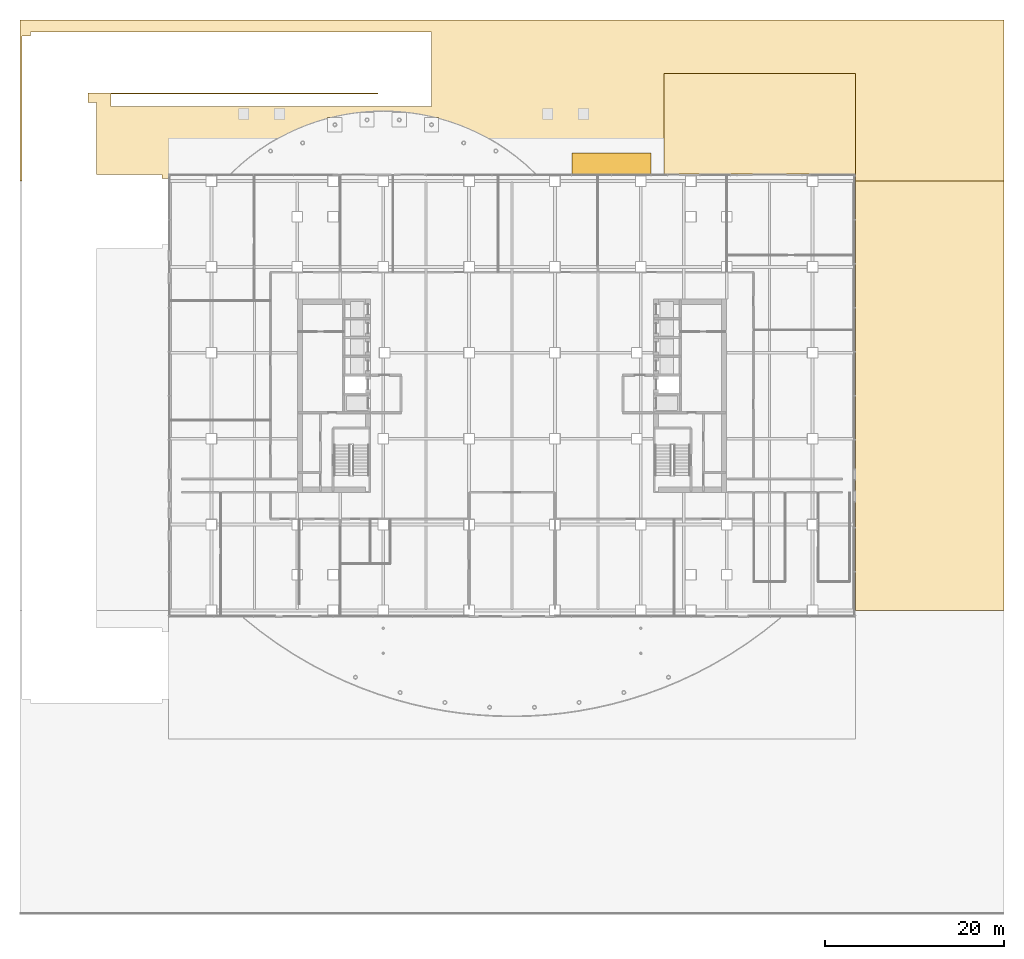
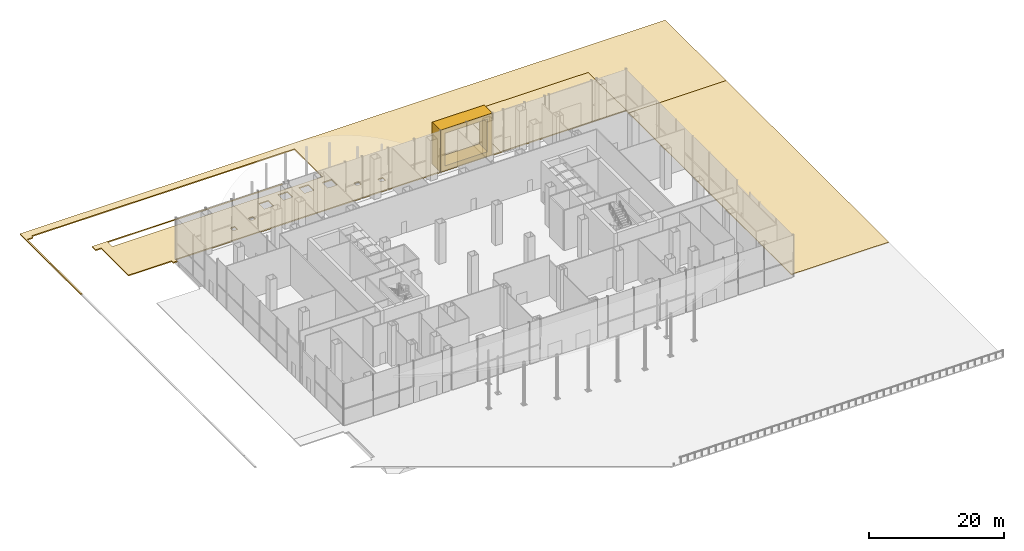
# One storey, part 35 of 36: 4 coverings.
"""IFC4 building model written with IfcOpenShell, lengths in metres."""

from ifc_helpers import new_model, si_unit, direction, frame, origin, place, context, subcontext, project, spatial, polyline, outline, extrude, material, layer, layer_set, type_object, element, save


model = new_model("IFC4")

# Units and contexts
model_context = context("Model", 3, precision=1e-05, world=origin(), true_north=direction((0.0, 1.0)))
body_context = subcontext(model_context, "Body", "Model", "MODEL_VIEW")
ifc_project = project(units=[si_unit("LENGTHUNIT", "METRE"), si_unit("AREAUNIT", "SQUARE_METRE"), si_unit("VOLUMEUNIT", "CUBIC_METRE"), si_unit("PLANEANGLEUNIT", "RADIAN"), si_unit("MASSUNIT", "GRAM", prefix="KILO")], contexts=[model_context])

# Site, building, storey
site_placement = place(None, origin())
site = spatial("IfcSite", under=ifc_project, at=site_placement, CompositionType="ELEMENT")
building_placement = place(site_placement, origin())
building = spatial("IfcBuilding", under=site, at=building_placement, Name="Cobrizo Arcos Hotel Tower", CompositionType="ELEMENT")
storey_placement = place(building_placement, origin())
storey = spatial("IfcBuildingStorey", under=building, at=storey_placement, Name="L00", CompositionType="ELEMENT", Elevation=0.0)

# Coverings
ifc_material_1 = material(Name="Aluminium 6063-T6 anodised bronze", Category="aluminium")
covering_type_1 = type_object("IfcCoveringType", Name="FIN-F 2400", PredefinedType="CLADDING", material=ifc_material_1)
covering_1_placement = place(storey_placement, frame((15.530517578125, 24.75, 0.0), z_axis=(0.0, 1.0, 0.0), x_axis=(-1.0, 0.0, 0.0)))
element("IfcCovering", 1, at=covering_1_placement, inside=storey, type_object=covering_type_1, Name="Fin frame 451", PredefinedType="CLADDING", context=body_context, shape_type="SweptSolid", body=[
    extrude(outline(polyline([(0.0, 7.5), (0.0, 0.0), (8.8388671875, 0.0), (8.8388671875, 7.5), (0.0, 7.5)]), holes=[polyline([(8.038818359375, 0.800048828125), (0.800048828125, 0.800048828125), (0.800048828125, 6.699951171875), (8.038818359375, 6.699951171875), (8.038818359375, 0.800048828125)])]), origin(), (0.0, 0.0, 1.0), 2.39990234375),
])
ifc_material_2 = material(Name="Granite paving on sand bed", Category="masonry")
ifc_layer_1 = layer(ifc_material_2, 0.199951171875)
ifc_layer_set_1 = layer_set([ifc_layer_1], Name="PG-1 granite plaza paving 200")
covering_type_2 = type_object("IfcCoveringType", Name="PG-1 granite plaza paving 200", PredefinedType="FLOORING", material=ifc_layer_set_1)
covering_2_placement = place(storey_placement, frame((0.0, 0.0, -0.199951171875)))
element("IfcCovering", 2, at=covering_2_placement, inside=storey, type_object=covering_type_2, Name="Paving PP", PredefinedType="FLOORING", context=body_context, shape_type="SweptSolid", body=[
    extrude(outline(polyline([(-55.0, 42.0), (55.0, 42.0), (55.0, 24.0), (38.39990234375, 24.0), (38.39990234375, 24.800048828125), (38.39990234375, 36.0), (17.0, 36.0), (17.0, 24.800048828125), (-38.39990234375, 24.800048828125), (-38.39990234375, 24.300048828125), (-39.10009765625, 24.300048828125), (-39.10009765625, 24.75), (-46.449951171875, 24.75), (-46.449951171875, 32.800048828125), (-46.89990234375, 32.800048828125), (-47.39990234375, 32.800048828125), (-47.39990234375, 33.85009765625), (-45.0, 33.85009765625), (-42.239990234375, 33.85009765625), (-39.47998046875, 33.85009765625), (-36.719970703125, 33.85009765625), (-33.9599609375, 33.85009765625), (-31.199951171875, 33.85009765625), (-28.43994140625, 33.85009765625), (-25.679931640625, 33.85009765625), (-22.919921875, 33.85009765625), (-20.159912109375, 33.85009765625), (-17.39990234375, 33.85009765625), (-15.0, 33.85009765625), (-15.0, 33.75), (-17.9599609375, 33.75), (-20.94677734375, 33.75), (-23.933349609375, 33.75), (-26.919921875, 33.75), (-29.90673828125, 33.75), (-32.893310546875, 33.75), (-35.8798828125, 33.75), (-38.86669921875, 33.75), (-41.853271484375, 33.75), (-44.840087890625, 33.75), (-44.840087890625, 33.300048828125), (-44.840087890625, 32.800048828125), (-44.840087890625, 32.35009765625), (-41.853271484375, 32.35009765625), (-38.86669921875, 32.35009765625), (-35.8798828125, 32.35009765625), (-32.893310546875, 32.35009765625), (-29.90673828125, 32.35009765625), (-26.919921875, 32.35009765625), (-23.933349609375, 32.35009765625), (-20.94677734375, 32.35009765625), (-17.9599609375, 32.35009765625), (-14.973388671875, 32.35009765625), (-11.98681640625, 32.35009765625), (-9.0, 32.35009765625), (-9.0, 32.800048828125), (-9.0, 33.300048828125), (-9.0, 33.75), (-9.0, 39.25), (-9.0, 39.699951171875), (-9.0, 40.199951171875), (-9.0, 40.64990234375), (-11.98681640625, 40.64990234375), (-14.973388671875, 40.64990234375), (-17.9599609375, 40.64990234375), (-20.94677734375, 40.64990234375), (-23.933349609375, 40.64990234375), (-26.919921875, 40.64990234375), (-29.90673828125, 40.64990234375), (-32.893310546875, 40.64990234375), (-35.8798828125, 40.64990234375), (-38.86669921875, 40.64990234375), (-41.853271484375, 40.64990234375), (-44.840087890625, 40.64990234375), (-47.82666015625, 40.64990234375), (-50.813232421875, 40.64990234375), (-53.800048828125, 40.64990234375), (-53.800048828125, 40.199951171875), (-54.300048828125, 40.199951171875), (-54.75, 40.199951171875), (-54.75, 24.0), (-55.0, 24.0), (-55.0, 42.0)]), holes=[polyline([(-27.39990234375, 27.751220703125), (-27.39990234375, 26.951416015625), (-26.60009765625, 26.951416015625), (-26.60009765625, 27.751220703125), (-27.39990234375, 27.751220703125)]), polyline([(-23.800048828125, 27.85986328125), (-23.0, 27.85986328125), (-23.0, 28.659912109375), (-23.800048828125, 28.659912109375), (-23.800048828125, 27.85986328125)]), polyline([(-20.60009765625, 29.48828125), (-19.0, 29.48828125), (-19.0, 31.08837890625), (-20.60009765625, 31.08837890625), (-20.60009765625, 29.48828125)]), polyline([(-9.800048828125, 29.48828125), (-8.199951171875, 29.48828125), (-8.199951171875, 31.08837890625), (-9.800048828125, 31.08837890625), (-9.800048828125, 29.48828125)]), polyline([(-17.0, 31.6328125), (-17.0, 30.03271484375), (-15.39990234375, 30.03271484375), (-15.39990234375, 31.6328125), (-17.0, 31.6328125)]), polyline([(-13.39990234375, 31.6328125), (-13.39990234375, 30.03271484375), (-11.800048828125, 30.03271484375), (-11.800048828125, 31.6328125), (-13.39990234375, 31.6328125)]), polyline([(-2.199951171875, 27.751220703125), (-2.199951171875, 26.951416015625), (-1.39990234375, 26.951416015625), (-1.39990234375, 27.751220703125), (-2.199951171875, 27.751220703125)]), polyline([(-5.800048828125, 28.659912109375), (-5.800048828125, 27.85986328125), (-5.0, 27.85986328125), (-5.0, 28.659912109375), (-5.800048828125, 28.659912109375)])]), origin(), (0.0, 0.0, 1.0), 0.199951171875),
])
ifc_material_3 = material(Name="Concrete f'c 30 MPa", Category="concrete")
ifc_layer_2 = layer(ifc_material_3, 0.14990234375)
ifc_layer_set_2 = layer_set([ifc_layer_2], Name="PG-3 service lane paving 150")
covering_type_3 = type_object("IfcCoveringType", Name="PG-3 service lane paving 150", PredefinedType="FLOORING", material=ifc_layer_set_2)
covering_3_placement = place(storey_placement, frame((0.0, 0.0, -0.14990234375)))
element("IfcCovering", 3, at=covering_3_placement, inside=storey, type_object=covering_type_3, Name="Paving PL", PredefinedType="FLOORING", context=body_context, shape_type="SweptSolid", body=[
    extrude(outline(polyline([(38.39990234375, -24.0), (38.39990234375, 24.0), (55.0, 24.0), (55.0, -24.0), (38.39990234375, -24.0)])), origin(), (0.0, 0.0, 1.0), 0.14990234375),
])
ifc_layer_3 = layer(ifc_material_3, 0.199951171875)
ifc_layer_set_3 = layer_set([ifc_layer_3], Name="PG-4 loading apron paving 200")
covering_type_4 = type_object("IfcCoveringType", Name="PG-4 loading apron paving 200", PredefinedType="FLOORING", material=ifc_layer_set_3)
covering_4_placement = place(storey_placement, frame((0.0, 0.0, -0.199951171875)))
element("IfcCovering", 4, at=covering_4_placement, inside=storey, type_object=covering_type_4, Name="Paving PA", PredefinedType="FLOORING", context=body_context, shape_type="SweptSolid", body=[
    extrude(outline(polyline([(17.0, 36.0), (38.39990234375, 36.0), (38.39990234375, 24.800048828125), (17.0, 24.800048828125), (17.0, 36.0)])), origin(), (0.0, 0.0, 1.0), 0.199951171875),
])

save(model, "model.ifc")
